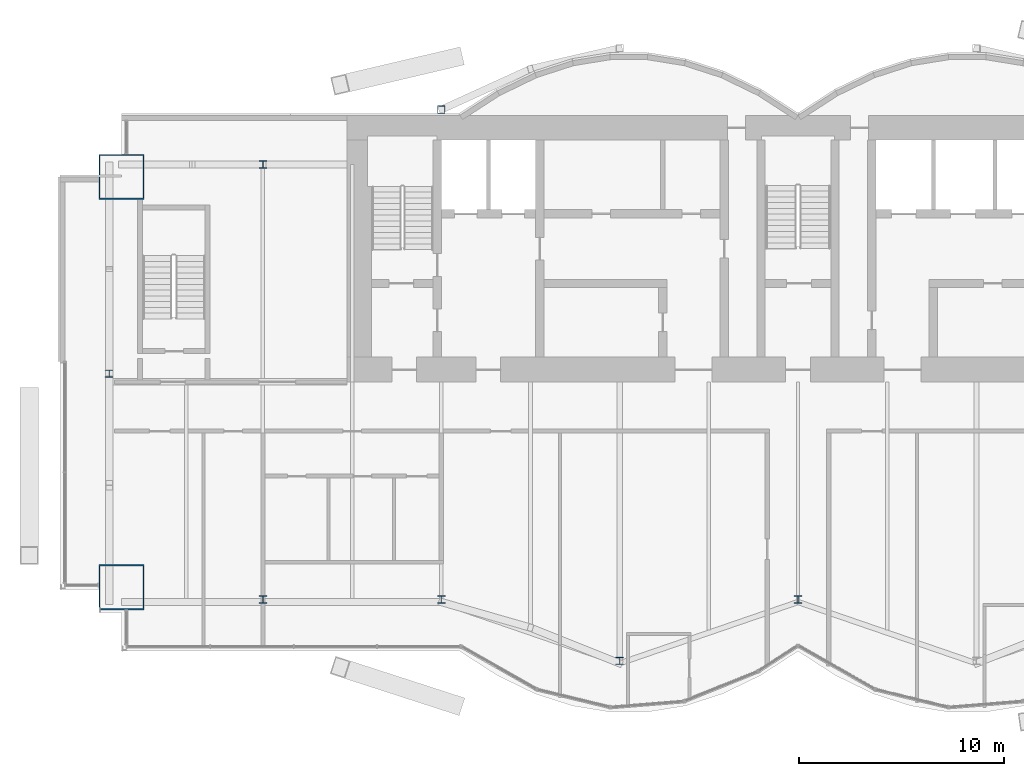
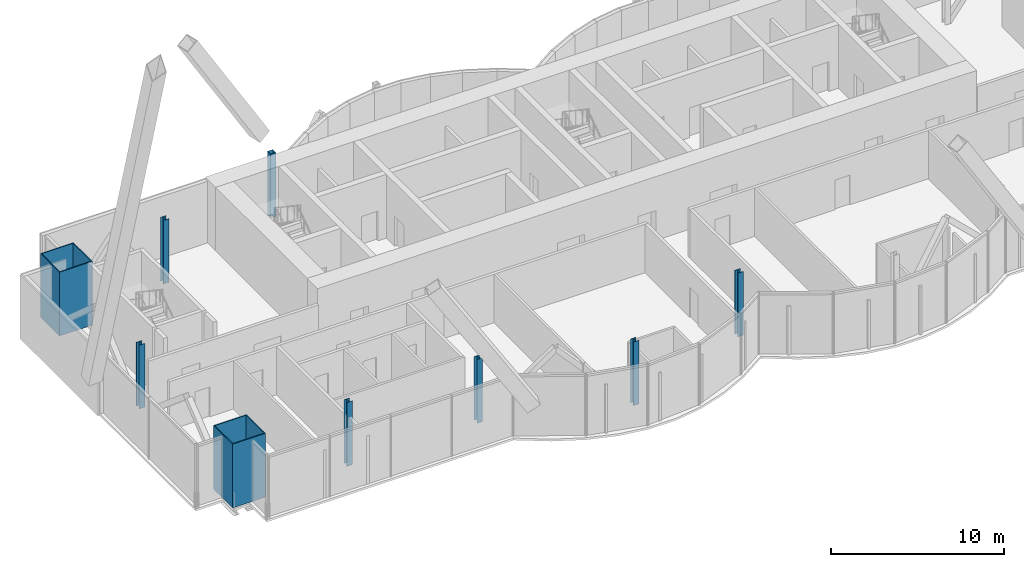
# One storey, part 1 of 22: 9 columns.
"""IFC4 building model written with IfcOpenShell, lengths in metres."""

import ifcopenshell
import ifcopenshell.guid

model = None  # the IFC model being written
_history = None  # IfcOwnerHistory: only IFC2X3 demands one
_inside = {}  # id of a spatial element -> (the spatial element, [elements in it])
_under = {}  # id of a project, library or spatial element -> (it, [spatial elements below it])
_declared = {}  # id of a project -> (the project, [libraries it declares])
_typed = {}  # id of a type object -> (the type object, [elements of that type])
_made_of = {}  # id of a material, layer set ... -> (it, [elements and type objects made of it])


def new_model(schema):
    """Start an empty IFC model of exactly this schema.

    Asked for "IFC4X3", IfcOpenShell would pick the latest addendum, in which some entities
    have other attributes; the version numbers below select the first issue.
    IFC2X3 requires an IfcOwnerHistory on every rooted entity: one is made here for all.
    """
    global model, _history
    if schema == "IFC4X3":
        model = ifcopenshell.file(schema_version=(4, 3, 0, 0))
    else:
        model = ifcopenshell.file(schema=schema)
    _inside.clear()
    _under.clear()
    _declared.clear()
    _typed.clear()
    _made_of.clear()
    _history = None
    if model.schema == "IFC2X3":
        org = make("IfcOrganization", Name="unknown")
        user = make(
            "IfcPersonAndOrganization",
            ThePerson=make("IfcPerson", FamilyName="unknown"),
            TheOrganization=org,
        )
        app = make(
            "IfcApplication",
            ApplicationDeveloper=org,
            Version="unknown",
            ApplicationFullName="unknown",
            ApplicationIdentifier="unknown",
        )
        _history = make(
            "IfcOwnerHistory",
            OwningUser=user,
            OwningApplication=app,
            ChangeAction="ADDED",
            CreationDate=0,
        )
    return model


def make(cls, **values):
    """One entity of the class cls with the attributes given. An attribute that is None is left unset."""
    return model.create_entity(
        cls, **{name: value for name, value in values.items() if value is not None}
    )


def rooted(cls, **values):
    """An entity with a GlobalId (a new one), such as an element, a storey or a relation."""
    return make(cls, GlobalId=ifcopenshell.guid.new(), OwnerHistory=_history, **values)


def si_unit(unit_type, name, prefix=None):
    """IfcSIUnit, for example si_unit("LENGTHUNIT", "METRE", prefix="MILLI")."""
    return make("IfcSIUnit", UnitType=unit_type, Prefix=prefix, Name=name)


def assignment(units):
    """IfcUnitAssignment: the units of a project."""
    return None if units is None else make("IfcUnitAssignment", Units=units)


def point(xyz):
    """IfcCartesianPoint."""
    return None if xyz is None else make("IfcCartesianPoint", Coordinates=xyz)


def direction(xyz):
    """IfcDirection."""
    return None if xyz is None else make("IfcDirection", DirectionRatios=xyz)


def frame(location, z_axis=None, x_axis=None):
    """IfcAxis2Placement3D, a coordinate frame: its origin and axes. An axis left out is left unset."""
    return make(
        "IfcAxis2Placement3D",
        Location=point(location),
        Axis=direction(z_axis),
        RefDirection=direction(x_axis),
    )


def frame_2d(location, x_axis=None):
    """IfcAxis2Placement2D, a coordinate frame in the plane: its origin and x axis."""
    return make(
        "IfcAxis2Placement2D", Location=point(location), RefDirection=direction(x_axis)
    )


def origin():
    """The frame at (0, 0, 0) with its axes left unset."""
    return frame((0.0, 0.0, 0.0))


def origin_2d():
    """The frame at (0, 0) in the plane with its x axis left unset."""
    return frame_2d((0.0, 0.0))


def place(relative_to, where):
    """IfcLocalPlacement: puts the frame where relative to a parent placement (None: the world)."""
    return make(
        "IfcLocalPlacement", PlacementRelTo=relative_to, RelativePlacement=where
    )


def context(
    kind, dimensions, precision=None, world=None, true_north=None, identifier=None
):
    """IfcGeometricRepresentationContext, for example the 3D "Model" context."""
    return make(
        "IfcGeometricRepresentationContext",
        ContextIdentifier=identifier,
        ContextType=kind,
        CoordinateSpaceDimension=dimensions,
        Precision=precision,
        WorldCoordinateSystem=world,
        TrueNorth=true_north,
    )


def subcontext(parent, identifier, kind, view, scale=None):
    """IfcGeometricRepresentationSubContext, for example "Body" below "Model"."""
    return make(
        "IfcGeometricRepresentationSubContext",
        ContextIdentifier=identifier,
        ContextType=kind,
        ParentContext=parent,
        TargetScale=scale,
        TargetView=view,
    )


def project(units=None, contexts=None):
    """IfcProject with its units and contexts."""
    return rooted(
        "IfcProject",
        Name="project",
        RepresentationContexts=contexts,
        UnitsInContext=assignment(units),
    )


def spatial(cls, under=None, at=None, **own):
    """A site, building, storey or space (cls), placed at a placement, below another one or the project."""
    s = rooted(cls, ObjectPlacement=at, **own)
    if under is not None:
        _under.setdefault(under.id(), (under, []))[1].append(s)
    return s


def profile(cls, at=None, kind="AREA", **sizes):
    """A parametric profile (cls). Its sizes go by their IFC names, for example OverallWidth=200.0."""
    return make(cls, ProfileType=kind, Position=at, **sizes)


def hollow_rectangle(**sizes):
    """IfcRectangleHollowProfileDef."""
    return profile("IfcRectangleHollowProfileDef", **sizes)


def i_section(**sizes):
    """IfcIShapeProfileDef."""
    return profile("IfcIShapeProfileDef", **sizes)


def extrude(swept, where, along, depth):
    """IfcExtrudedAreaSolid: the profile swept, set in the frame where, extruded along a direction by depth."""
    return make(
        "IfcExtrudedAreaSolid",
        SweptArea=swept,
        Position=where,
        ExtrudedDirection=direction(along),
        Depth=depth,
    )


def shape(context_of_items, identifier, shape_type, items):
    """IfcShapeRepresentation: the items that make up one representation, for example the "Body"."""
    return make(
        "IfcShapeRepresentation",
        ContextOfItems=context_of_items,
        RepresentationIdentifier=identifier,
        RepresentationType=shape_type,
        Items=items,
    )


def material(Name=None, Category=None):
    """IfcMaterial."""
    return make("IfcMaterial", Name=Name, Category=Category)


def material_profile(
    of_material, cross_section, Name=None, Category=None, Priority=None
):
    """IfcMaterialProfile: a cross section and its material."""
    return make(
        "IfcMaterialProfile",
        Name=Name,
        Material=of_material,
        Profile=cross_section,
        Priority=Priority,
        Category=Category,
    )


def profile_set(profiles, Name=None, composite=None):
    """IfcMaterialProfileSet."""
    return make(
        "IfcMaterialProfileSet",
        Name=Name,
        MaterialProfiles=profiles,
        CompositeProfile=composite,
    )


def made_of(thing, what):
    """Note that an element or type object is made of a material, layer set ...; save() writes the relation."""
    if what is not None:
        _made_of.setdefault(what.id(), (what, []))[1].append(thing)
    return thing


def type_object(cls, material=None, **own):
    """A type object (cls), such as IfcWallType, which elements share."""
    return made_of(rooted(cls, **own), material)


def element(
    cls,
    number,
    at=None,
    inside=None,
    cuts=None,
    type_object=None,
    material=None,
    context=None,
    identifier="Body",
    shape_type=None,
    held_by="IfcProductDefinitionShape",
    body=None,
    shapes=None,
    **own,
):
    """One element of the class cls, such as IfcWall. Its Tag is "e" and its number.

    at: its placement. inside: the storey or other place that contains it. cuts: it is an
    opening in that element (IfcRelVoidsElement). A single representation is given by context,
    identifier, shape_type and body (its items); several are given by shapes. held_by: the class
    of the entity that holds the representations. save() writes the other relations.
    """
    e = rooted(cls, Tag="e%d" % number, ObjectPlacement=at, **own)
    if body is not None:
        shapes = [shape(context, identifier, shape_type, body)]
    if shapes is not None:
        e.Representation = make(held_by, Representations=shapes)
    if inside is not None:
        _inside.setdefault(inside.id(), (inside, []))[1].append(e)
    if cuts is not None:
        rooted(
            "IfcRelVoidsElement", RelatingBuildingElement=cuts, RelatedOpeningElement=e
        )
    if type_object is not None:
        _typed.setdefault(type_object.id(), (type_object, []))[1].append(e)
    return made_of(e, material)


def aggregate(whole, parts):
    """IfcRelAggregates: a whole, such as a stair, and the parts it consists of."""
    return rooted("IfcRelAggregates", RelatingObject=whole, RelatedObjects=parts)


def save(model, path):
    """Write the relations noted so far, then the file.

    IfcRelAggregates (storeys below a building ...), IfcRelContainedInSpatialStructure (elements
    in a storey), IfcRelDefinesByType, IfcRelAssociatesMaterial and IfcRelDeclares: one each for
    every whole, place, type object, material and project.
    """
    for whole, parts in _under.values():
        aggregate(whole, parts)
    for where, things in _inside.values():
        rooted(
            "IfcRelContainedInSpatialStructure",
            RelatedElements=things,
            RelatingStructure=where,
        )
    for kind, things in _typed.values():
        rooted("IfcRelDefinesByType", RelatedObjects=things, RelatingType=kind)
    for what, things in _made_of.values():
        rooted("IfcRelAssociatesMaterial", RelatedObjects=things, RelatingMaterial=what)
    for by, libraries in _declared.values():
        rooted("IfcRelDeclares", RelatingContext=by, RelatedDefinitions=libraries)
    model.write(path)


model = new_model("IFC4")

# Units and contexts
model_context = context("Model", 3, precision=1e-05, world=origin(), true_north=direction((0.0, 1.0)))
body_context = subcontext(model_context, "Body", "Model", "MODEL_VIEW")
ifc_project = project(units=[si_unit("LENGTHUNIT", "METRE"), si_unit("AREAUNIT", "SQUARE_METRE"), si_unit("VOLUMEUNIT", "CUBIC_METRE"), si_unit("PLANEANGLEUNIT", "RADIAN"), si_unit("MASSUNIT", "GRAM", prefix="KILO")], contexts=[model_context])

# Site, building, storey
site_placement = place(None, origin())
site = spatial("IfcSite", under=ifc_project, at=site_placement, CompositionType="ELEMENT")
building_placement = place(site_placement, origin())
building = spatial("IfcBuilding", under=site, at=building_placement, Name="Bicima Exchange Tower", CompositionType="ELEMENT")
storey_placement = place(building_placement, frame((0.0, 0.0, 315.5)))
storey = spatial("IfcBuildingStorey", under=building, at=storey_placement, Name="L71", CompositionType="ELEMENT", Elevation=315.5)

# Columns
ifc_material_1 = material(Name="Steel ASTM A572 Gr 50", Category="steel")
ifc_material_profile_1 = material_profile(ifc_material_1, hollow_rectangle(XDim=2.199951171875, YDim=2.199951171875, WallThickness=0.06005859375, at=origin_2d()))
ifc_profile_set_1 = profile_set([ifc_material_profile_1], Name="Steel ASTM A572 Gr 50")
column_type_1 = type_object("IfcColumnType", Name="Mega column BOX 2200x2200x60", PredefinedType="COLUMN", material=ifc_profile_set_1)
for number, where, z_axis, x_axis, name in (
    (1, (-33.0, -23.01806640625, 0.0), (0.0, 0.0, 1.0), (1.0, 0.0, 0.0), "Mega column mega-33.0f"),
    (2, (-33.0, -3.0, 0.0), (0.0, 0.0, 1.0), (1.0, 0.0, 0.0), "Mega column mega-33.0r"),
):
    element("IfcColumn", number, at=place(storey_placement, frame(where, z_axis=z_axis, x_axis=x_axis)), inside=storey, type_object=column_type_1, Name=name, PredefinedType="COLUMN", context=body_context, shape_type="SweptSolid", body=[
        extrude(hollow_rectangle(XDim=2.199951171875, YDim=2.199951171875, WallThickness=0.06005859375, at=origin_2d()), origin(), (0.0, 0.0, 1.0), 4.5),
    ])
ifc_material_2 = material(Name="Steel ASTM A992 Gr 50", Category="steel")
ifc_material_profile_2 = material_profile(ifc_material_2, i_section(OverallWidth=0.368408203125, OverallDepth=0.355712890625, WebThickness=0.01123046875, FlangeThickness=0.01806640625, at=origin_2d()))
ifc_profile_set_2 = profile_set([ifc_material_profile_2], Name="Steel ASTM A992 Gr 50")
column_type_2 = type_object("IfcColumnType", Name="Perimeter column W14x90", PredefinedType="COLUMN", material=ifc_profile_set_2)
for number, where, z_axis, x_axis, name in (
    (3, (-26.10009765625, -23.617919921875, 0.0), (0.0, 0.0, 1.0), (1.0, 0.0, 0.0), "Perimeter column grav-26.1f"),
    (4, (-26.10009765625, -2.39990234375, 0.0), (0.0, 0.0, 1.0), (1.0, 0.0, 0.0), "Perimeter column grav-26.1r"),
    (5, (-17.39990234375, -23.617919921875, 0.0), (0.0, 0.0, 1.0), (1.0, 0.0, 0.0), "Perimeter column grav-17.4f"),
    (6, (-8.699951171875, -26.609130859375, 0.0), (0.0, 0.0, 1.0), (1.0, 0.0, 0.0), "Perimeter column grav-8.7f"),
    (7, (0.0, -23.617919921875, 0.0), (0.0, 0.0, 1.0), (1.0, 0.0, 0.0), "Perimeter column grav-0.0f"),
    (8, (-33.60009765625, -12.60009765625, 0.0), (0.0, 0.0, 1.0), (1.0, 0.0, 0.0), "End column end-33.6e"),
):
    element("IfcColumn", number, at=place(storey_placement, frame(where, z_axis=z_axis, x_axis=x_axis)), inside=storey, type_object=column_type_2, Name=name, PredefinedType="COLUMN", context=body_context, shape_type="SweptSolid", body=[
        extrude(i_section(OverallWidth=0.368408203125, OverallDepth=0.355712890625, WebThickness=0.01123046875, FlangeThickness=0.01806640625, at=origin_2d()), origin(), (0.0, 0.0, 1.0), 4.5),
    ])
ifc_material_profile_3 = material_profile(ifc_material_1, hollow_rectangle(XDim=0.355712890625, YDim=0.355712890625, WallThickness=0.01171875, at=origin_2d()))
ifc_profile_set_3 = profile_set([ifc_material_profile_3], Name="Steel ASTM A572 Gr 50")
column_type_3 = type_object("IfcColumnType", Name="Rear pilaster HSS14x14x1/2", PredefinedType="COLUMN", material=ifc_profile_set_3)
column_placement = place(storey_placement, frame((-17.39990234375, 0.278076171875, 0.0), z_axis=(0.0, 0.0, 1.0), x_axis=(1.0, 0.0, 0.0)))
element("IfcColumn", 9, at=column_placement, inside=storey, type_object=column_type_3, Name="Rear pilaster rexo-17.4r", PredefinedType="COLUMN", context=body_context, shape_type="SweptSolid", body=[
    extrude(hollow_rectangle(XDim=0.355712890625, YDim=0.355712890625, WallThickness=0.01171875, at=origin_2d()), origin(), (0.0, 0.0, 1.0), 4.5),
])

save(model, "model.ifc")
